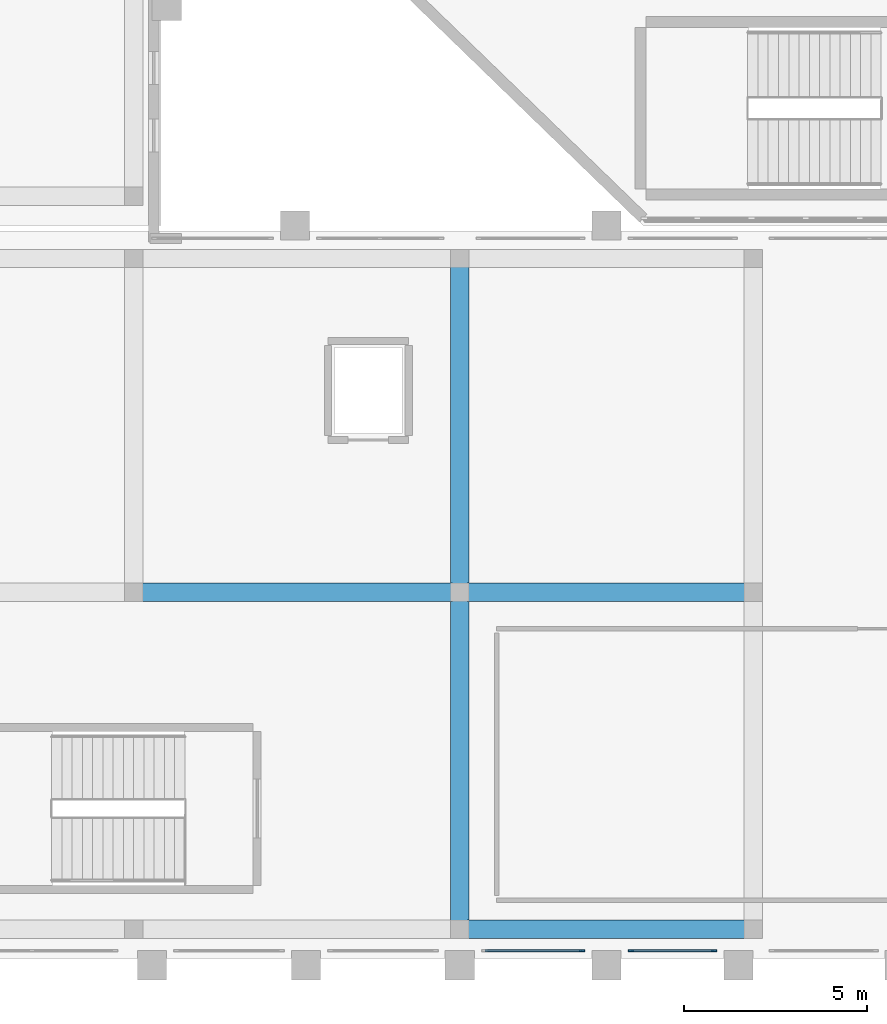
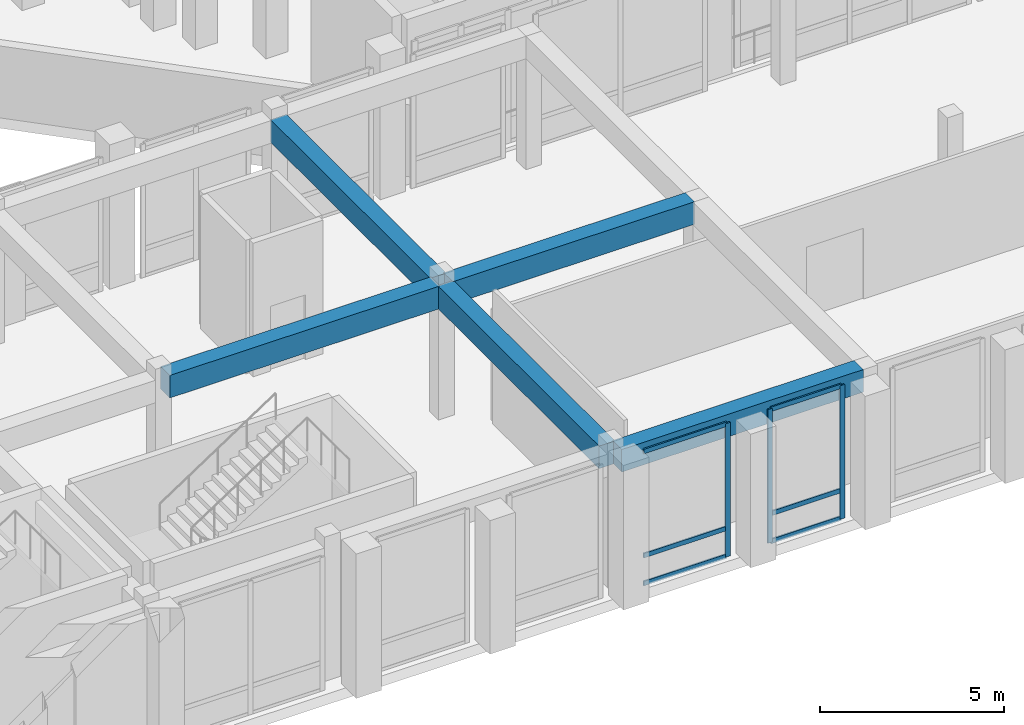
# One storey, part 4 of 79: 9 members, 5 beams, 2 elements without a shape of their own.
"""IFC4 building model written with IfcOpenShell, lengths in metres."""

from ifc_helpers import new_model, si_unit, derived_unit, direction, frame, origin, origin_2d, place, context, subcontext, project, spatial, rectangle, extrude, material, layer, layer_set, material_profile, profile_set, type_object, element, aggregate, save


model = new_model("IFC4")

# Units and contexts
model_context = context("Model", 3, precision=1e-05, world=origin(), true_north=direction((0.0, 1.0)))
body_context = subcontext(model_context, "Body", "Model", "MODEL_VIEW")
ifc_project = project(units=[si_unit("LENGTHUNIT", "METRE"), si_unit("AREAUNIT", "SQUARE_METRE"), si_unit("VOLUMEUNIT", "CUBIC_METRE"), si_unit("PLANEANGLEUNIT", "RADIAN"), si_unit("MASSUNIT", "GRAM", prefix="KILO"), derived_unit("THERMALTRANSMITTANCEUNIT", [(si_unit("MASSUNIT", "GRAM", prefix="KILO"), 1), (si_unit("TIMEUNIT", "SECOND"), -3), (si_unit("THERMODYNAMICTEMPERATUREUNIT", "KELVIN"), -1)])], contexts=[model_context])

# Site, building, storey
site_placement = place(None, origin())
site = spatial("IfcSite", under=ifc_project, at=site_placement, CompositionType="ELEMENT")
building_placement = place(site_placement, origin())
building = spatial("IfcBuilding", under=site, at=building_placement, Name="Valcora Ridge Arena", CompositionType="ELEMENT")
storey_placement = place(building_placement, frame((0.0, 0.0, 16.199951171875)))
storey = spatial("IfcBuildingStorey", under=building, at=storey_placement, Name="L03", CompositionType="ELEMENT", Elevation=16.199951171875)

# Beams
ifc_material_1 = material(Name="Concrete C40/50", Category="concrete")
ifc_material_profile_1 = material_profile(ifc_material_1, rectangle(XDim=0.5, YDim=0.75, at=origin_2d()), Name="RC 500x750")
ifc_profile_set_1 = profile_set([ifc_material_profile_1], Name="Concrete C40/50")
beam_type_1 = type_object("IfcBeamType", Name="TY-BEAM-B-RC500-X", PredefinedType="BEAM", material=ifc_profile_set_1)
beam_1_placement = place(storey_placement, frame((15.300048828125, 10.0, 4.06494140625), z_axis=(1.0, 0.0, 0.0), x_axis=(0.0, 1.0, 0.0)))
element("IfcBeam", 1, at=beam_1_placement, inside=storey, type_object=beam_type_1, Name="B-RC500-X BEM-B-RC500-X-0077", PredefinedType="BEAM", context=body_context, shape_type="SweptSolid", body=[
    extrude(rectangle(XDim=0.5, YDim=0.75, at=origin_2d()), origin(), (0.0, 0.0, 1.0), 8.5),
])
beam_2_placement = place(storey_placement, frame((24.199951171875, 10.0, 4.06494140625), z_axis=(1.0, 0.0, 0.0), x_axis=(0.0, 1.0, 0.0)))
element("IfcBeam", 2, at=beam_2_placement, inside=storey, type_object=beam_type_1, Name="B-RC500-X BEM-B-RC500-X-0078", PredefinedType="BEAM", context=body_context, shape_type="SweptSolid", body=[
    extrude(rectangle(XDim=0.5, YDim=0.75, at=origin_2d()), origin(), (0.0, 0.0, 1.0), 7.60009765625),
])
ifc_material_profile_2 = material_profile(ifc_material_1, rectangle(XDim=0.5, YDim=0.75, at=origin_2d()), Name="RC 500x750")
ifc_profile_set_2 = profile_set([ifc_material_profile_2], Name="Concrete C40/50")
beam_type_2 = type_object("IfcBeamType", Name="TY-BEAM-B-RC500-Y", PredefinedType="BEAM", material=ifc_profile_set_2)
beam_3_placement = place(storey_placement, frame((24.0, 1.0, 4.06494140625), z_axis=(0.0, 1.0, 0.0), x_axis=(-1.0, 0.0, 0.0)))
element("IfcBeam", 3, at=beam_3_placement, inside=storey, type_object=beam_type_2, Name="B-RC500-Y BEM-B-RC500-Y-0103", PredefinedType="BEAM", context=body_context, shape_type="SweptSolid", body=[
    extrude(rectangle(XDim=0.5, YDim=0.75, at=origin_2d()), origin(), (0.0, 0.0, 1.0), 8.800048828125),
])
beam_4_placement = place(storey_placement, frame((24.0, 10.199951171875, 4.06494140625), z_axis=(0.0, 1.0, 0.0), x_axis=(-1.0, 0.0, 0.0)))
element("IfcBeam", 4, at=beam_4_placement, inside=storey, type_object=beam_type_2, Name="B-RC500-Y BEM-B-RC500-Y-0104", PredefinedType="BEAM", context=body_context, shape_type="SweptSolid", body=[
    extrude(rectangle(XDim=0.5, YDim=0.75, at=origin_2d()), origin(), (0.0, 0.0, 1.0), 8.699951171875),
])
ifc_material_profile_3 = material_profile(ifc_material_1, rectangle(XDim=0.5, YDim=0.75, at=origin_2d()), Name="RC 500x750")
ifc_profile_set_3 = profile_set([ifc_material_profile_3], Name="Concrete C40/50")
beam_type_3 = type_object("IfcBeamType", Name="TY-BEAM-EB-RC500", PredefinedType="BEAM", material=ifc_profile_set_3)
beam_5_placement = place(storey_placement, frame((24.199951171875, 0.800048828125, 4.06494140625), z_axis=(1.0, 0.0, 0.0), x_axis=(0.0, 1.0, 0.0)))
element("IfcBeam", 5, at=beam_5_placement, inside=storey, type_object=beam_type_3, Name="EB-RC500 BEM-EB-RC500-0028", PredefinedType="BEAM", context=body_context, shape_type="SweptSolid", body=[
    extrude(rectangle(XDim=0.5, YDim=0.75, at=origin_2d()), origin(), (0.0, 0.0, 1.0), 7.60009765625),
])

# Curtain wall, member
ifc_material_2 = material(Name="Anodised dark bronze architectural aluminium 6063-T6", Category="aluminium")
ifc_layer_1 = layer(ifc_material_2, 0.14990234375, Name="Anodised dark bronze architectural aluminium 6063-T6")
ifc_layer_set_1 = layer_set([ifc_layer_1], Name="Anodised dark bronze architectural aluminium 6063-T6")
curtain_wall_type_1 = type_object("IfcCurtainWallType", Name="TY-CURTAINWALL-CW-V4-CLUB-027X44", PredefinedType="NOTDEFINED", material=ifc_layer_set_1)
curtain_wall_1_placement = place(storey_placement, origin())
curtain_wall_1 = element("IfcCurtainWall", 6, at=curtain_wall_1_placement, inside=storey, type_object=curtain_wall_type_1, Name="CW-V4-CLUB-027X44 CW-0273", PredefinedType="NOTDEFINED")
ifc_material_profile_4 = material_profile(ifc_material_2, rectangle(XDim=0.050048828125, YDim=0.14990234375, at=origin_2d()), Name="ALU MULLION 50x150")
ifc_profile_set_4 = profile_set([ifc_material_profile_4], Name="Anodised dark bronze architectural aluminium 6063-T6")
member_type_1 = type_object("IfcMemberType", Name="TY-MEM-CWM-50x150", PredefinedType="MULLION", material=ifc_profile_set_4)
member_1_placement = place(storey_placement, frame((27.3349609375, 0.219970703125, 0.0), z_axis=(0.0, 0.0, 1.0), x_axis=(0.0, 1.0, 0.0)))
member_1 = element("IfcMember", 7, at=member_1_placement, type_object=member_type_1, Name="CW-0273/CWM-50x150/M01", PredefinedType="MULLION", context=body_context, shape_type="SweptSolid", body=[
    extrude(rectangle(XDim=0.050048828125, YDim=0.14990234375, at=origin_2d()), origin(), (0.0, 0.0, 1.0), 4.43994140625),
])

# Curtain wall, members
ifc_layer_2 = layer(ifc_material_2, 0.14990234375, Name="Anodised dark bronze architectural aluminium 6063-T6")
ifc_layer_set_2 = layer_set([ifc_layer_2], Name="Anodised dark bronze architectural aluminium 6063-T6")
curtain_wall_type_2 = type_object("IfcCurtainWallType", Name="TY-CURTAINWALL-CW-V4-CLUB-023X44", PredefinedType="NOTDEFINED", material=ifc_layer_set_2)
curtain_wall_2_placement = place(storey_placement, origin())
curtain_wall_2 = element("IfcCurtainWall", 8, at=curtain_wall_2_placement, inside=storey, type_object=curtain_wall_type_2, Name="CW-V4-CLUB-023X44 CW-0274", PredefinedType="NOTDEFINED")
member_2_placement = place(storey_placement, frame((28.6650390625, 0.219970703125, 0.0), z_axis=(0.0, 0.0, 1.0), x_axis=(0.0, 1.0, 0.0)))
member_2 = element("IfcMember", 9, at=member_2_placement, type_object=member_type_1, Name="CW-0274/CWM-50x150/M00", PredefinedType="MULLION", context=body_context, shape_type="SweptSolid", body=[
    extrude(rectangle(XDim=0.050048828125, YDim=0.14990234375, at=origin_2d()), origin(), (0.0, 0.0, 1.0), 4.43994140625),
])
member_3_placement = place(storey_placement, frame((30.93505859375, 0.219970703125, 0.0), z_axis=(0.0, 0.0, 1.0), x_axis=(0.0, 1.0, 0.0)))
member_3 = element("IfcMember", 10, at=member_3_placement, type_object=member_type_1, Name="CW-0274/CWM-50x150/M01", PredefinedType="MULLION", context=body_context, shape_type="SweptSolid", body=[
    extrude(rectangle(XDim=0.050048828125, YDim=0.14990234375, at=origin_2d()), origin(), (0.0, 0.0, 1.0), 4.43994140625),
])

# Member
ifc_material_profile_5 = material_profile(ifc_material_2, rectangle(XDim=0.050048828125, YDim=0.14990234375, at=origin_2d()), Name="ALU TRANSOM 50x150")
ifc_profile_set_5 = profile_set([ifc_material_profile_5], Name="Anodised dark bronze architectural aluminium 6063-T6")
member_type_2 = type_object("IfcMemberType", Name="TY-MEM-CWT-50x150", PredefinedType="USERDEFINED", material=ifc_profile_set_5)
member_4_placement = place(storey_placement, frame((24.68994140625, 0.219970703125, 0.025146484375), z_axis=(1.0, 0.0, 0.0), x_axis=(0.0, 1.0, 0.0)))
member_4 = element("IfcMember", 11, at=member_4_placement, type_object=member_type_2, Name="CW-0273/CWT-50x150/T00-00", ObjectType="TRANSOM", PredefinedType="USERDEFINED", context=body_context, shape_type="SweptSolid", body=[
    extrude(rectangle(XDim=0.050048828125, YDim=0.14990234375, at=origin_2d()), origin(), (0.0, 0.0, 1.0), 2.6201171875),
])

member_5_placement = place(storey_placement, frame((24.68994140625, 0.219970703125, 0.949951171875), z_axis=(1.0, 0.0, 0.0), x_axis=(0.0, 1.0, 0.0)))
member_5 = element("IfcMember", 12, at=member_5_placement, type_object=member_type_2, Name="CW-0273/CWT-50x150/T00-01", ObjectType="TRANSOM", PredefinedType="USERDEFINED", context=body_context, shape_type="SweptSolid", body=[
    extrude(rectangle(XDim=0.050048828125, YDim=0.14990234375, at=origin_2d()), origin(), (0.0, 0.0, 1.0), 2.6201171875),
])

member_6_placement = place(storey_placement, frame((24.68994140625, 0.219970703125, 4.4150390625), z_axis=(1.0, 0.0, 0.0), x_axis=(0.0, 1.0, 0.0)))
member_6 = element("IfcMember", 13, at=member_6_placement, type_object=member_type_2, Name="CW-0273/CWT-50x150/T00-02", ObjectType="TRANSOM", PredefinedType="USERDEFINED", context=body_context, shape_type="SweptSolid", body=[
    extrude(rectangle(XDim=0.050048828125, YDim=0.14990234375, at=origin_2d()), origin(), (0.0, 0.0, 1.0), 2.6201171875),
])

aggregate(curtain_wall_1, [member_1, member_4, member_5, member_6])

member_7_placement = place(storey_placement, frame((28.68994140625, 0.219970703125, 0.025146484375), z_axis=(1.0, 0.0, 0.0), x_axis=(0.0, 1.0, 0.0)))
member_7 = element("IfcMember", 14, at=member_7_placement, type_object=member_type_2, Name="CW-0274/CWT-50x150/T00-00", ObjectType="TRANSOM", PredefinedType="USERDEFINED", context=body_context, shape_type="SweptSolid", body=[
    extrude(rectangle(XDim=0.050048828125, YDim=0.14990234375, at=origin_2d()), origin(), (0.0, 0.0, 1.0), 2.219970703125),
])

member_8_placement = place(storey_placement, frame((28.68994140625, 0.219970703125, 0.949951171875), z_axis=(1.0, 0.0, 0.0), x_axis=(0.0, 1.0, 0.0)))
member_8 = element("IfcMember", 15, at=member_8_placement, type_object=member_type_2, Name="CW-0274/CWT-50x150/T00-01", ObjectType="TRANSOM", PredefinedType="USERDEFINED", context=body_context, shape_type="SweptSolid", body=[
    extrude(rectangle(XDim=0.050048828125, YDim=0.14990234375, at=origin_2d()), origin(), (0.0, 0.0, 1.0), 2.219970703125),
])

member_9_placement = place(storey_placement, frame((28.68994140625, 0.219970703125, 4.4150390625), z_axis=(1.0, 0.0, 0.0), x_axis=(0.0, 1.0, 0.0)))
member_9 = element("IfcMember", 16, at=member_9_placement, type_object=member_type_2, Name="CW-0274/CWT-50x150/T00-02", ObjectType="TRANSOM", PredefinedType="USERDEFINED", context=body_context, shape_type="SweptSolid", body=[
    extrude(rectangle(XDim=0.050048828125, YDim=0.14990234375, at=origin_2d()), origin(), (0.0, 0.0, 1.0), 2.219970703125),
])

aggregate(curtain_wall_2, [member_2, member_3, member_7, member_8, member_9])

save(model, "model.ifc")
